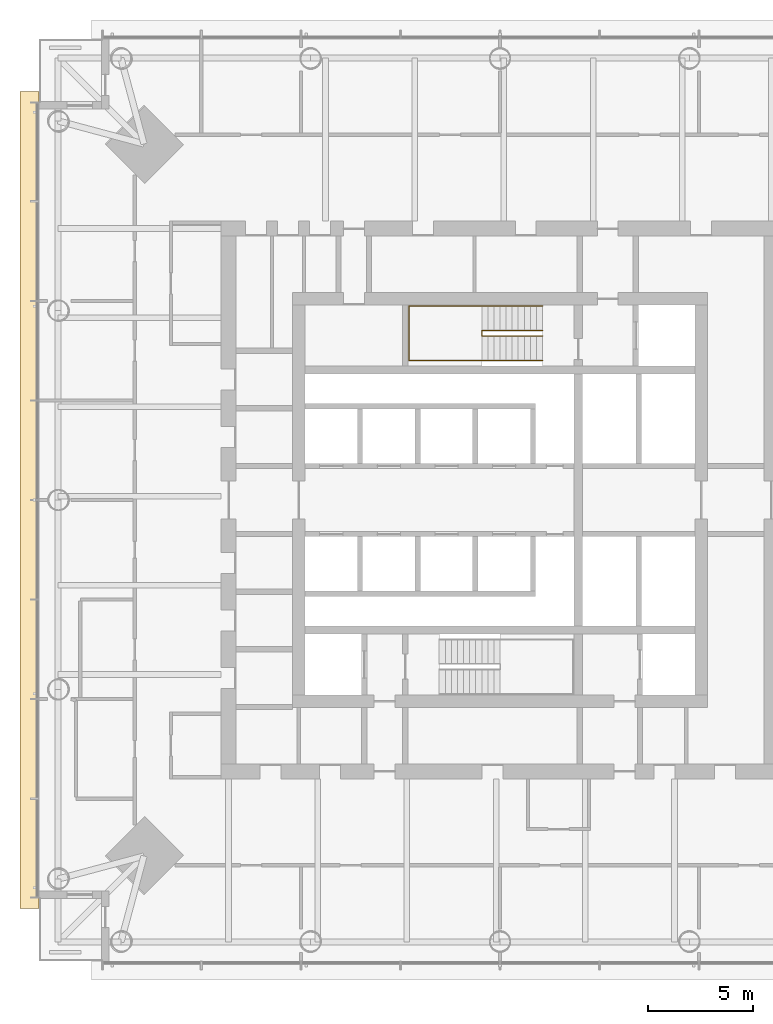
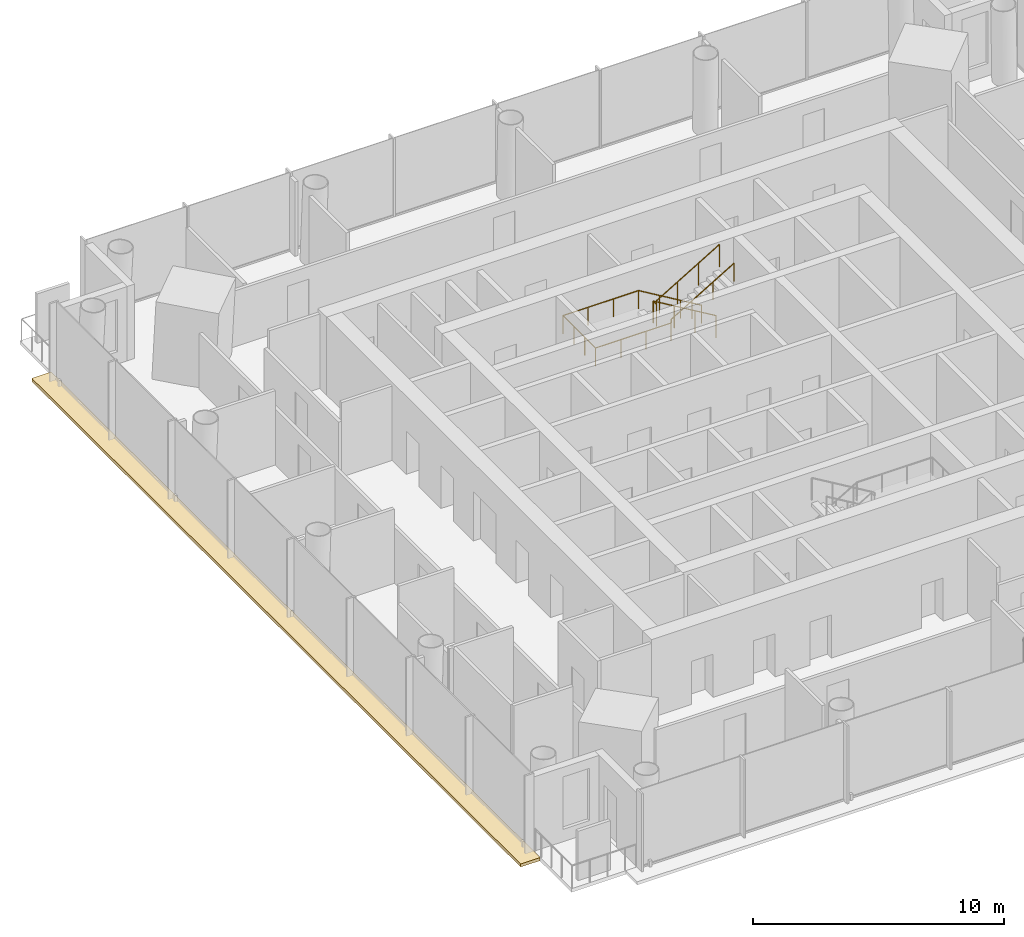
# One storey, part 24 of 27: 2 railings, 1 covering.
"""IFC4 building model written with IfcOpenShell, lengths in metres."""

from ifc_helpers import new_model, si_unit, direction, frame, origin, origin_2d, place, context, subcontext, project, spatial, polyline, circle, outline, extrude, material, layer, layer_set, type_object, element, save


model = new_model("IFC4")

# Units and contexts
model_context = context("Model", 3, precision=1e-05, world=origin(), true_north=direction((0.0, 1.0)))
body_context = subcontext(model_context, "Body", "Model", "MODEL_VIEW")
ifc_project = project(units=[si_unit("LENGTHUNIT", "METRE"), si_unit("AREAUNIT", "SQUARE_METRE"), si_unit("VOLUMEUNIT", "CUBIC_METRE"), si_unit("PLANEANGLEUNIT", "RADIAN"), si_unit("MASSUNIT", "GRAM", prefix="KILO")], contexts=[model_context])

# Site, building, storey
site_placement = place(None, origin())
site = spatial("IfcSite", under=ifc_project, at=site_placement, CompositionType="ELEMENT")
building_placement = place(site_placement, origin())
building = spatial("IfcBuilding", under=site, at=building_placement, Name="Ostroluk Exchange", CompositionType="ELEMENT")
storey_placement = place(building_placement, frame((0.0, 0.0, 112.199951171875)))
storey = spatial("IfcBuildingStorey", under=building, at=storey_placement, Name="L28", CompositionType="ELEMENT", Elevation=112.199951171875)

# Covering
ifc_material_1 = material(Name="Insulated steel roof deck with membrane, laid to falls, aluminium coping", Category="steel")
ifc_layer = layer(ifc_material_1, 0.14990234375)
ifc_layer_set = layer_set([ifc_layer], Name="Setback maintenance roof")
covering_type = type_object("IfcCoveringType", Name="Setback maintenance roof", PredefinedType="ROOFING", material=ifc_layer_set)
covering_placement = place(storey_placement, frame((0.0, 0.0, -0.14990234375)))
element("IfcCovering", 1, at=covering_placement, inside=storey, type_object=covering_type, Name="Maintenance roof, setback L28 west", PredefinedType="ROOFING", context=body_context, shape_type="SweptSolid", body=[
    extrude(outline(polyline([(22.10009765625, 65.5), (23.0, 65.5), (23.0, 26.5), (22.10009765625, 26.5), (22.10009765625, 65.5)])), origin(), (0.0, 0.0, 1.0), 0.14990234375),
])

# Railings
ifc_material_2 = material(Name="Steel S355", Category="steel")
railing_type_1 = type_object("IfcRailingType", Name="Stair guard 1100", PredefinedType="GUARDRAIL", material=ifc_material_2)
railing_1_placement = place(storey_placement, frame((47.030029296875, 54.080078125, 0.1728515625)))
element("IfcRailing", 2, at=railing_1_placement, inside=storey, type_object=railing_type_1, Name="Stair T1-S2 guard L28", PredefinedType="GUARDRAIL", context=body_context, shape_type="SweptSolid", body=[
    extrude(circle(Radius=0.02392578125, at=origin_2d()), frame((0.0, 0.0, 1.076171875), z_axis=(-0.859160404282, 0.0, 0.51170636083), x_axis=(0.0, -1.0, 0.0)), (0.0, 0.0, 1.0), 3.37548828125),
    extrude(circle(Radius=0.02392578125, at=origin_2d()), frame((-2.900146484375, 0.0, 2.80322265625), z_axis=(0.0, -1.0, 0.0), x_axis=(1.0, 0.0, 0.0)), (0.0, 0.0, 1.0), 0.260009765625),
    extrude(circle(Radius=0.02392578125, at=origin_2d()), frame((-2.900146484375, -0.260009765625, 2.80322265625), z_axis=(0.0, 0.0, 1.0), x_axis=(1.0, 0.0, 0.0)), (0.0, 0.0, 1.0), 0.172607421875),
    extrude(circle(Radius=0.02392578125, at=origin_2d()), frame((-2.900146484375, -0.260009765625, 2.97607421875), z_axis=(0.859160404282, 0.0, 0.51170636083), x_axis=(0.0, 1.0, 0.0)), (0.0, 0.0, 1.0), 3.37548828125),
    extrude(circle(Radius=0.02099609375, at=origin_2d()), origin(), (0.0, 0.0, 1.0), 1.052001953125),
    extrude(circle(Radius=0.02099609375, at=origin_2d()), frame((-0.966796875, 0.0, 0.57568359375)), (0.0, 0.0, 1.0), 1.052001953125),
    extrude(circle(Radius=0.02099609375, at=origin_2d()), frame((-1.933349609375, 0.0, 1.151611328125)), (0.0, 0.0, 1.0), 1.052001953125),
    extrude(circle(Radius=0.02099609375, at=origin_2d()), frame((-2.900146484375, 0.0, 1.727294921875)), (0.0, 0.0, 1.0), 1.052001953125),
    extrude(circle(Radius=0.02099609375, at=origin_2d()), frame((-2.900146484375, -0.260009765625, 1.727294921875)), (0.0, 0.0, 1.0), 1.052001953125),
    extrude(circle(Radius=0.02099609375, at=origin_2d()), frame((-2.900146484375, -0.260009765625, 1.89990234375)), (0.0, 0.0, 1.0), 1.052001953125),
    extrude(circle(Radius=0.02099609375, at=origin_2d()), frame((-1.933349609375, -0.260009765625, 2.4755859375)), (0.0, 0.0, 1.0), 1.052001953125),
    extrude(circle(Radius=0.02099609375, at=origin_2d()), frame((-0.966796875, -0.260009765625, 3.051513671875)), (0.0, 0.0, 1.0), 1.052001953125),
    extrude(circle(Radius=0.02099609375, at=origin_2d()), frame((0.0, -0.260009765625, 3.627197265625)), (0.0, 0.0, 1.0), 1.052001953125),
])
ifc_material_3 = material(Name="Stainless steel", Category="steel")
railing_type_2 = type_object("IfcRailingType", Name="Stair handrail 900", PredefinedType="HANDRAIL", material=ifc_material_3)
railing_2_placement = place(storey_placement, frame((47.030029296875, 55.25, 0.1728515625)))
element("IfcRailing", 3, at=railing_2_placement, inside=storey, type_object=railing_type_2, Name="Stair T1-S2 handrail L28", PredefinedType="HANDRAIL", context=body_context, shape_type="SweptSolid", body=[
    extrude(circle(Radius=0.02392578125, at=origin_2d()), frame((0.0, 0.0, 0.8759765625), z_axis=(-0.859160404282, 0.0, 0.51170636083), x_axis=(0.0, -1.0, 0.0)), (0.0, 0.0, 1.0), 3.37548828125),
    extrude(circle(Radius=0.02392578125, at=origin_2d()), frame((-2.900146484375, 0.0, 2.60302734375), z_axis=(-1.0, 0.0, 0.0), x_axis=(0.0, -1.0, 0.0)), (0.0, 0.0, 1.0), 3.47998046875),
    extrude(circle(Radius=0.02392578125, at=origin_2d()), frame((-6.380126953125, 0.0, 2.60302734375), z_axis=(0.0, -1.0, 0.0), x_axis=(1.0, 0.0, 0.0)), (0.0, 0.0, 1.0), 2.60009765625),
    extrude(circle(Radius=0.02392578125, at=origin_2d()), frame((-6.380126953125, -2.60009765625, 2.60302734375), z_axis=(1.0, 0.0, 0.0), x_axis=(0.0, 1.0, 0.0)), (0.0, 0.0, 1.0), 3.47998046875),
    extrude(circle(Radius=0.02392578125, at=origin_2d()), frame((-2.900146484375, -2.60009765625, 2.60302734375), z_axis=(0.0, 0.0, 1.0), x_axis=(1.0, 0.0, 0.0)), (0.0, 0.0, 1.0), 0.172607421875),
    extrude(circle(Radius=0.02392578125, at=origin_2d()), frame((-2.900146484375, -2.60009765625, 2.77587890625), z_axis=(0.859160404282, 0.0, 0.51170636083), x_axis=(0.0, 1.0, 0.0)), (0.0, 0.0, 1.0), 3.37548828125),
    extrude(circle(Radius=0.02099609375, at=origin_2d()), origin(), (0.0, 0.0, 1.0), 0.851806640625),
    extrude(circle(Radius=0.02099609375, at=origin_2d()), frame((-0.966796875, 0.0, 0.57568359375)), (0.0, 0.0, 1.0), 0.851806640625),
    extrude(circle(Radius=0.02099609375, at=origin_2d()), frame((-1.933349609375, 0.0, 1.151611328125)), (0.0, 0.0, 1.0), 0.851806640625),
    extrude(circle(Radius=0.02099609375, at=origin_2d()), frame((-2.900146484375, 0.0, 1.727294921875)), (0.0, 0.0, 1.0), 0.851806640625),
    extrude(circle(Radius=0.02099609375, at=origin_2d()), frame((-4.06005859375, 0.0, 1.727294921875)), (0.0, 0.0, 1.0), 0.851806640625),
    extrude(circle(Radius=0.02099609375, at=origin_2d()), frame((-5.22021484375, 0.0, 1.727294921875)), (0.0, 0.0, 1.0), 0.851806640625),
    extrude(circle(Radius=0.02099609375, at=origin_2d()), frame((-6.380126953125, 0.0, 1.727294921875)), (0.0, 0.0, 1.0), 0.851806640625),
    extrude(circle(Radius=0.02099609375, at=origin_2d()), frame((-6.380126953125, -0.86669921875, 1.727294921875)), (0.0, 0.0, 1.0), 0.851806640625),
    extrude(circle(Radius=0.02099609375, at=origin_2d()), frame((-6.380126953125, -1.7333984375, 1.727294921875)), (0.0, 0.0, 1.0), 0.851806640625),
    extrude(circle(Radius=0.02099609375, at=origin_2d()), frame((-6.380126953125, -2.60009765625, 1.727294921875)), (0.0, 0.0, 1.0), 0.851806640625),
    extrude(circle(Radius=0.02099609375, at=origin_2d()), frame((-5.22021484375, -2.60009765625, 1.727294921875)), (0.0, 0.0, 1.0), 0.851806640625),
    extrude(circle(Radius=0.02099609375, at=origin_2d()), frame((-4.06005859375, -2.60009765625, 1.727294921875)), (0.0, 0.0, 1.0), 0.851806640625),
    extrude(circle(Radius=0.02099609375, at=origin_2d()), frame((-2.900146484375, -2.60009765625, 1.727294921875)), (0.0, 0.0, 1.0), 0.851806640625),
    extrude(circle(Radius=0.02099609375, at=origin_2d()), frame((-2.900146484375, -2.60009765625, 1.89990234375)), (0.0, 0.0, 1.0), 0.851806640625),
    extrude(circle(Radius=0.02099609375, at=origin_2d()), frame((-1.933349609375, -2.60009765625, 2.4755859375)), (0.0, 0.0, 1.0), 0.851806640625),
    extrude(circle(Radius=0.02099609375, at=origin_2d()), frame((-0.966796875, -2.60009765625, 3.051513671875)), (0.0, 0.0, 1.0), 0.851806640625),
    extrude(circle(Radius=0.02099609375, at=origin_2d()), frame((0.0, -2.60009765625, 3.627197265625)), (0.0, 0.0, 1.0), 0.851806640625),
])

save(model, "model.ifc")
